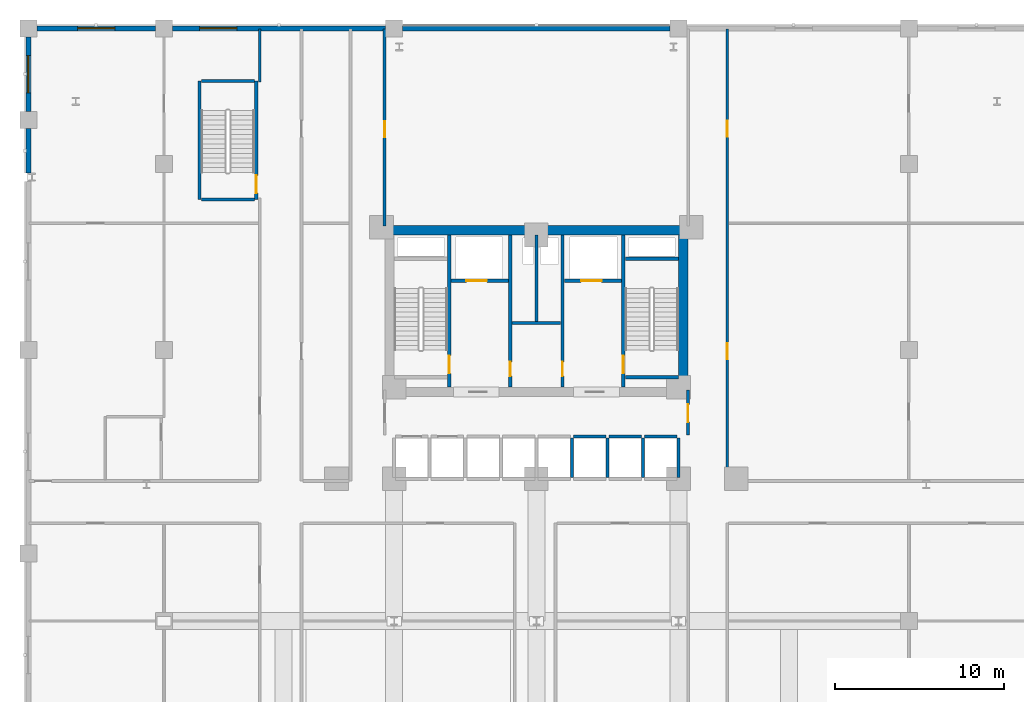
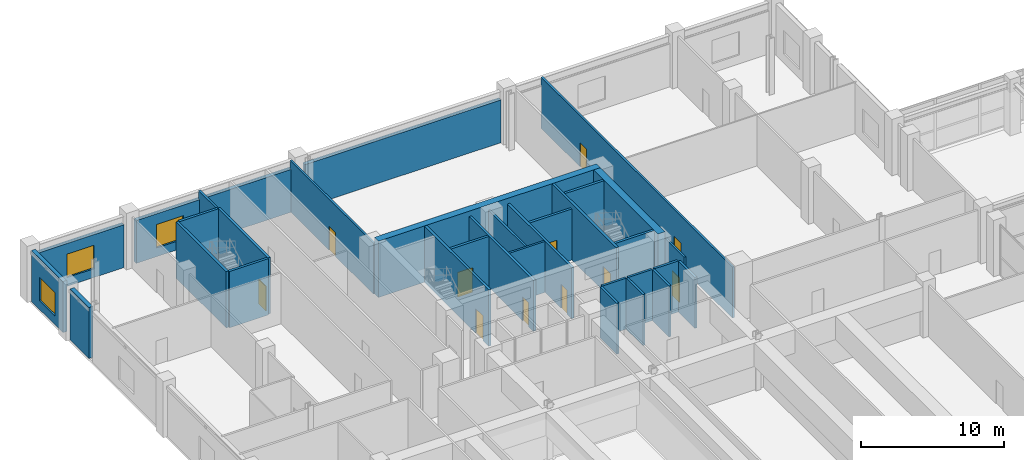
# One storey, part 32 of 44: 32 walls, 11 doors, 3 windows, 14 openings.
"""IFC4 building model written with IfcOpenShell, lengths in metres."""

from ifc_helpers import new_model, si_unit, derived_unit, direction, frame, frame_2d, origin, place, context, subcontext, project, spatial, rectangle, extrude, material, layer, layer_set, type_object, element, fill, save


model = new_model("IFC4")

# Units and contexts
model_context = context("Model", 3, precision=1e-05, world=origin(), true_north=direction((0.0, 1.0)))
body_context = subcontext(model_context, "Body", "Model", "MODEL_VIEW")
ifc_project = project(units=[si_unit("LENGTHUNIT", "METRE"), si_unit("AREAUNIT", "SQUARE_METRE"), si_unit("VOLUMEUNIT", "CUBIC_METRE"), si_unit("PLANEANGLEUNIT", "RADIAN"), si_unit("MASSUNIT", "GRAM", prefix="KILO"), derived_unit("THERMALTRANSMITTANCEUNIT", [(si_unit("POWERUNIT", "WATT"), 1), (si_unit("LENGTHUNIT", "METRE"), -2), (si_unit("THERMODYNAMICTEMPERATUREUNIT", "KELVIN"), -1)])], contexts=[model_context])

# Site, building, storey
site_placement = place(None, origin())
site = spatial("IfcSite", under=ifc_project, at=site_placement, CompositionType="ELEMENT")
building_placement = place(site_placement, origin())
building = spatial("IfcBuilding", under=site, at=building_placement, Name="Korsvarv Bourse and Concert Hall", CompositionType="ELEMENT")
storey_placement = place(building_placement, frame((0.0, 0.0, 9.60009765625)))
storey = spatial("IfcBuildingStorey", under=building, at=storey_placement, Name="L02", CompositionType="ELEMENT", Elevation=9.60009765625)

# Wall, opening, door
ifc_material_1 = material(Name="Concrete C50/60", Category="concrete")
ifc_layer_1 = layer(ifc_material_1, 0.3798828125)
ifc_layer_set_1 = layer_set([ifc_layer_1], Name="Concrete C50/60")
wall_type_1 = type_object("IfcWallType", Name="WL-CORE-380", PredefinedType="SHEAR", material=ifc_layer_set_1)
wall_1_placement = place(storey_placement, frame((30.860107421875, 37.81005859375, 0.0), z_axis=(0.0, 0.0, 1.0), x_axis=(0.0, 1.0, 0.0)))
wall_1 = element("IfcWall", 1, at=wall_1_placement, inside=storey, type_object=wall_type_1, Name="L02 stair shaft structural wall W-L02-ST1-E", PredefinedType="SHEAR", context=body_context, shape_type="SweptSolid", body=[
    extrude(rectangle(XDim=8.97998046875, YDim=0.199951171875, at=frame_2d((4.489990234375, 0.0))), origin(), (0.0, 0.0, 1.0), 4.7998046875),
])
opening_1_placement = place(wall_1_placement, frame((0.820068359375, 0.0, 0.0)))
opening_1 = element("IfcOpeningElement", 2, at=opening_1_placement, cuts=wall_1, Name="Opening D-01", PredefinedType="OPENING", context=body_context, shape_type="SweptSolid", body=[
    extrude(rectangle(XDim=1.050048828125, YDim=2.10009765625, at=frame_2d((0.52490234375, 1.050048828125))), frame((0.0, 0.10986328125, 0.0), z_axis=(0.0, -1.0, 0.0), x_axis=(1.0, 0.0, 0.0)), (0.0, 0.0, 1.0), 0.219970703125),
])
ifc_material_2 = material(Name="Steel S355 fire door", Category="steel")
door_type_1 = type_object("IfcDoorType", Name="DR-FD60", OperationType="NOTDEFINED", PredefinedType="DOOR", material=ifc_material_2)
door_1_placement = place(opening_1_placement, origin())
door_1 = element("IfcDoor", 3, at=door_1_placement, inside=storey, type_object=door_type_1, Name="L02 interior door DR-L02-ST1", OperationType="SINGLE_SWING_LEFT", OverallHeight=2.10009765625, OverallWidth=1.050048828125, PredefinedType="DOOR", context=body_context, shape_type="SweptSolid", body=[
    extrude(rectangle(XDim=1.050048828125, YDim=2.10009765625, at=frame_2d((0.52490234375, 1.050048828125))), frame((0.0, 0.02490234375, 0.0), z_axis=(0.0, -1.0, 0.0), x_axis=(1.0, 0.0, 0.0)), (0.0, 0.0, 1.0), 0.050048828125),
])
fill(opening_1, door_1)

wall_2_placement = place(storey_placement, frame((41.139892578125, 37.81005859375, 0.0), z_axis=(0.0, 0.0, 1.0), x_axis=(0.0, 1.0, 0.0)))
wall_2 = element("IfcWall", 4, at=wall_2_placement, inside=storey, type_object=wall_type_1, Name="L02 stair shaft structural wall W-L02-ST2-W", PredefinedType="SHEAR", context=body_context, shape_type="SweptSolid", body=[
    extrude(rectangle(XDim=8.97998046875, YDim=0.199951171875, at=frame_2d((4.489990234375, 0.0))), origin(), (0.0, 0.0, 1.0), 4.7998046875),
])
opening_2_placement = place(wall_2_placement, frame((0.820068359375, 0.0, 0.0)))
opening_2 = element("IfcOpeningElement", 5, at=opening_2_placement, cuts=wall_2, Name="Opening D-01", PredefinedType="OPENING", context=body_context, shape_type="SweptSolid", body=[
    extrude(rectangle(XDim=1.050048828125, YDim=2.10009765625, at=frame_2d((0.52490234375, 1.050048828125))), frame((0.0, 0.10986328125, 0.0), z_axis=(0.0, -1.0, 0.0), x_axis=(1.0, 0.0, 0.0)), (0.0, 0.0, 1.0), 0.219970703125),
])
door_2_placement = place(opening_2_placement, frame((1.050048828125, 0.0, 0.0), z_axis=(0.0, 0.0, 1.0), x_axis=(-1.0, 0.0, 0.0)))
door_2 = element("IfcDoor", 6, at=door_2_placement, inside=storey, type_object=door_type_1, Name="L02 interior door DR-L02-ST2", OperationType="SINGLE_SWING_RIGHT", OverallHeight=2.10009765625, OverallWidth=1.050048828125, PredefinedType="DOOR", context=body_context, shape_type="SweptSolid", body=[
    extrude(rectangle(XDim=1.050048828125, YDim=2.10009765625, at=frame_2d((0.52490234375, 1.050048828125))), frame((0.0, 0.02490234375, 0.0), z_axis=(0.0, -1.0, 0.0), x_axis=(1.0, 0.0, 0.0)), (0.0, 0.0, 1.0), 0.050048828125),
])
fill(opening_2, door_2)

# Walls
for number, where, z_axis, x_axis, name in (
    (7, (41.25, 45.39990234375, 0.0), (0.0, 0.0, 1.0), (1.0, 0.0, 0.0), "L02 stair shaft structural wall W-L02-ST2-N"),
    (8, (41.25, 38.39990234375, 0.0), (0.0, 0.0, 1.0), (1.0, 0.0, 0.0), "L02 stair shaft structural wall W-L02-ST2-S"),
):
    element("IfcWall", number, at=place(storey_placement, frame(where, z_axis=z_axis, x_axis=x_axis)), inside=storey, type_object=wall_type_1, Name=name, PredefinedType="SHEAR", context=body_context, shape_type="SweptSolid", body=[
        extrude(rectangle(XDim=3.139892578125, YDim=0.199951171875, at=frame_2d((1.56982421875, 0.0))), origin(), (0.0, 0.0, 1.0), 4.7998046875),
    ])

# Wall, opening, door
wall_3_placement = place(storey_placement, frame((19.4599609375, 48.89990234375, 0.0), z_axis=(0.0, 0.0, 1.0), x_axis=(0.0, 1.0, 0.0)))
wall_3 = element("IfcWall", 9, at=wall_3_placement, inside=storey, type_object=wall_type_1, Name="L02 stair shaft structural wall W-L02-STPD-E", PredefinedType="SHEAR", context=body_context, shape_type="SweptSolid", body=[
    extrude(rectangle(XDim=7.0, YDim=0.199951171875, at=frame_2d((3.5, 0.0))), origin(), (0.0, 0.0, 1.0), 4.7998046875),
])
opening_3_placement = place(wall_3_placement, frame((0.3798828125, 0.0, 0.0)))
opening_3 = element("IfcOpeningElement", 10, at=opening_3_placement, cuts=wall_3, Name="Opening D-01", PredefinedType="OPENING", context=body_context, shape_type="SweptSolid", body=[
    extrude(rectangle(XDim=1.050048828125, YDim=2.10009765625, at=frame_2d((0.52490234375, 1.050048828125))), frame((0.0, 0.10986328125, 0.0), z_axis=(0.0, -1.0, 0.0), x_axis=(1.0, 0.0, 0.0)), (0.0, 0.0, 1.0), 0.219970703125),
])
door_3_placement = place(opening_3_placement, origin())
door_3 = element("IfcDoor", 11, at=door_3_placement, inside=storey, type_object=door_type_1, Name="L02 interior door DR-L02-STPD1", OperationType="SINGLE_SWING_RIGHT", OverallHeight=2.10009765625, OverallWidth=1.050048828125, PredefinedType="DOOR", context=body_context, shape_type="SweptSolid", body=[
    extrude(rectangle(XDim=1.050048828125, YDim=2.10009765625, at=frame_2d((0.52490234375, 1.050048828125))), frame((0.0, 0.02490234375, 0.0), z_axis=(0.0, -1.0, 0.0), x_axis=(1.0, 0.0, 0.0)), (0.0, 0.0, 1.0), 0.050048828125),
])
fill(opening_3, door_3)

# Walls
wall_4_placement = place(storey_placement, frame((16.10009765625, 48.89990234375, 0.0), z_axis=(0.0, 0.0, 1.0), x_axis=(0.0, 1.0, 0.0)))
element("IfcWall", 12, at=wall_4_placement, inside=storey, type_object=wall_type_1, Name="L02 stair shaft structural wall W-L02-STPD-W", PredefinedType="SHEAR", context=body_context, shape_type="SweptSolid", body=[
    extrude(rectangle(XDim=7.0, YDim=0.199951171875, at=frame_2d((3.5, 0.0))), origin(), (0.0, 0.0, 1.0), 4.7998046875),
])
for number, where, z_axis, x_axis, name in (
    (13, (16.2099609375, 55.89990234375, 0.0), (0.0, 0.0, 1.0), (1.0, 0.0, 0.0), "L02 stair shaft structural wall W-L02-STPD-N"),
    (14, (16.2099609375, 48.89990234375, 0.0), (0.0, 0.0, 1.0), (1.0, 0.0, 0.0), "L02 stair shaft structural wall W-L02-STPD-S"),
):
    element("IfcWall", number, at=place(storey_placement, frame(where, z_axis=z_axis, x_axis=x_axis)), inside=storey, type_object=wall_type_1, Name=name, PredefinedType="SHEAR", context=body_context, shape_type="SweptSolid", body=[
        extrude(rectangle(XDim=3.14013671875, YDim=0.199951171875, at=frame_2d((1.570068359375, 0.0))), origin(), (0.0, 0.0, 1.0), 4.7998046875),
    ])
ifc_material_3 = material(Name="Concrete C60/75", Category="concrete")
ifc_layer_2 = layer(ifc_material_3, 0.550048828125)
ifc_layer_set_2 = layer_set([ifc_layer_2], Name="Concrete C60/75")
wall_type_2 = type_object("IfcWallType", Name="WL-CORE-550", PredefinedType="SHEAR", material=ifc_layer_set_2)
wall_5_placement = place(storey_placement, frame((27.050048828125, 47.074951171875, 0.0), z_axis=(0.0, 0.0, 1.0), x_axis=(1.0, 0.0, 0.0)))
element("IfcWall", 15, at=wall_5_placement, inside=storey, type_object=wall_type_2, Name="L02 North Core Shear Wall", PredefinedType="SHEAR", context=body_context, shape_type="SweptSolid", body=[
    extrude(rectangle(XDim=17.89990234375, YDim=0.550048828125, at=frame_2d((8.949951171875, 0.0))), origin(), (0.0, 0.0, 1.0), 4.7998046875),
])
wall_6_placement = place(storey_placement, frame((44.675048828125, 37.800048828125, 0.0), z_axis=(0.0, 0.0, 1.0), x_axis=(0.0, 1.0, 0.0)))
element("IfcWall", 16, at=wall_6_placement, inside=storey, type_object=wall_type_2, Name="L02 East Core Shear Wall", PredefinedType="SHEAR", context=body_context, shape_type="SweptSolid", body=[
    extrude(rectangle(XDim=9.0, YDim=0.550048828125, at=frame_2d((4.5, 0.0))), origin(), (0.0, 0.0, 1.0), 4.7998046875),
])

# Wall, opening, window
ifc_material_4 = material(Name="Precast concrete C45/55 with granite and terracotta", Category="concrete")
ifc_layer_3 = layer(ifc_material_4, 0.320068359375)
ifc_layer_set_3 = layer_set([ifc_layer_3], Name="Precast concrete C45/55 with granite and terracotta")
wall_type_3 = type_object("IfcWallType", Name="WL-EXT-POD", PredefinedType="SOLIDWALL", material=ifc_layer_set_3)
wall_7_placement = place(storey_placement, frame((6.5048828125, 59.0, 0.0), z_axis=(0.0, 0.0, 1.0), x_axis=(1.0, 0.0, 0.0)))
wall_7 = element("IfcWall", 17, at=wall_7_placement, inside=storey, type_object=wall_type_3, Name="L02 terracotta exterior wall EW-L02-N1", PredefinedType="SOLIDWALL", context=body_context, shape_type="SweptSolid", body=[
    extrude(rectangle(XDim=6.990234375, YDim=0.320068359375, at=frame_2d((3.4951171875, 0.0))), origin(), (0.0, 0.0, 1.0), 3.64990234375),
])
opening_4_placement = place(wall_7_placement, frame((2.39501953125, 0.0, 0.75)))
opening_4 = element("IfcOpeningElement", 18, at=opening_4_placement, cuts=wall_7, Name="Opening W-03", PredefinedType="OPENING", context=body_context, shape_type="SweptSolid", body=[
    extrude(rectangle(XDim=2.199951171875, YDim=2.0, at=frame_2d((1.10009765625, 1.0))), frame((0.0, 0.169921875, 0.0), z_axis=(0.0, -1.0, 0.0), x_axis=(1.0, 0.0, 0.0)), (0.0, 0.0, 1.0), 0.340087890625),
])
ifc_material_5 = material(Name="Thermally broken aluminium frame with triple low-E glass", Category="glass")
window_type = type_object("IfcWindowType", Name="WIN-POD1", PartitioningType="SINGLE_PANEL", PredefinedType="WINDOW", material=ifc_material_5)
window_1_placement = place(opening_4_placement, origin())
window_1 = element("IfcWindow", 19, at=window_1_placement, inside=storey, type_object=window_type, Name="L02 punched facade window W-03", OverallHeight=2.0, OverallWidth=2.199951171875, PartitioningType="SINGLE_PANEL", PredefinedType="WINDOW", context=body_context, shape_type="SweptSolid", body=[
    extrude(rectangle(XDim=2.199951171875, YDim=2.0, at=frame_2d((1.10009765625, 1.0))), frame((0.0, 0.030029296875, 0.0), z_axis=(0.0, -1.0, 0.0), x_axis=(1.0, 0.0, 0.0)), (0.0, 0.0, 1.0), 0.06005859375),
])
fill(opening_4, window_1)

wall_8_placement = place(storey_placement, frame((14.5048828125, 59.0, 0.0), z_axis=(0.0, 0.0, 1.0), x_axis=(1.0, 0.0, 0.0)))
wall_8 = element("IfcWall", 20, at=wall_8_placement, inside=storey, type_object=wall_type_3, Name="L02 terracotta exterior wall EW-L02-N2", PredefinedType="SOLIDWALL", context=body_context, shape_type="SweptSolid", body=[
    extrude(rectangle(XDim=12.590087890625, YDim=0.320068359375, at=frame_2d((6.294921875, 0.0))), origin(), (0.0, 0.0, 1.0), 3.64990234375),
])
opening_5_placement = place(wall_8_placement, frame((1.5986328125, 0.0, 0.75)))
opening_5 = element("IfcOpeningElement", 21, at=opening_5_placement, cuts=wall_8, Name="Opening W-03", PredefinedType="OPENING", context=body_context, shape_type="SweptSolid", body=[
    extrude(rectangle(XDim=2.199951171875, YDim=2.0, at=frame_2d((1.10009765625, 1.0))), frame((0.0, 0.169921875, 0.0), z_axis=(0.0, -1.0, 0.0), x_axis=(1.0, 0.0, 0.0)), (0.0, 0.0, 1.0), 0.340087890625),
])
window_2_placement = place(opening_5_placement, origin())
window_2 = element("IfcWindow", 22, at=window_2_placement, inside=storey, type_object=window_type, Name="L02 punched facade window W-03", OverallHeight=2.0, OverallWidth=2.199951171875, PartitioningType="SINGLE_PANEL", PredefinedType="WINDOW", context=body_context, shape_type="SweptSolid", body=[
    extrude(rectangle(XDim=2.199951171875, YDim=2.0, at=frame_2d((1.10009765625, 1.0))), frame((0.0, 0.030029296875, 0.0), z_axis=(0.0, -1.0, 0.0), x_axis=(1.0, 0.0, 0.0)), (0.0, 0.0, 1.0), 0.06005859375),
])
fill(opening_5, window_2)

# Walls
wall_9_placement = place(storey_placement, frame((28.10498046875, 59.0, 0.0), z_axis=(0.0, 0.0, 1.0), x_axis=(1.0, 0.0, 0.0)))
element("IfcWall", 23, at=wall_9_placement, inside=storey, type_object=wall_type_3, Name="L02 terracotta exterior wall EW-L02-N3", PredefinedType="SOLIDWALL", context=body_context, shape_type="SweptSolid", body=[
    extrude(rectangle(XDim=15.7900390625, YDim=0.320068359375, at=frame_2d((7.89501953125, 0.0))), origin(), (0.0, 0.0, 1.0), 3.64990234375),
])
wall_10_placement = place(storey_placement, frame((6.0, 50.459228515625, 0.0), z_axis=(0.0, 0.0, 1.0), x_axis=(0.0, 1.0, 0.0)))
element("IfcWall", 24, at=wall_10_placement, inside=storey, type_object=wall_type_3, Name="L02 terracotta exterior wall EW-L02-W4-2", PredefinedType="SOLIDWALL", context=body_context, shape_type="SweptSolid", body=[
    extrude(rectangle(XDim=2.6357421875, YDim=0.320068359375, at=frame_2d((1.31787109375, 0.0))), origin(), (0.0, 0.0, 1.0), 4.349853515625),
])

# Wall, opening, window
wall_11_placement = place(storey_placement, frame((6.0, 54.10498046875, 0.0), z_axis=(0.0, 0.0, 1.0), x_axis=(0.0, 1.0, 0.0)))
wall_11 = element("IfcWall", 25, at=wall_11_placement, inside=storey, type_object=wall_type_3, Name="L02 terracotta exterior wall EW-L02-W5", PredefinedType="SOLIDWALL", context=body_context, shape_type="SweptSolid", body=[
    extrude(rectangle(XDim=4.39013671875, YDim=0.320068359375, at=frame_2d((2.195068359375, 0.0))), origin(), (0.0, 0.0, 1.0), 4.349853515625),
])
opening_6_placement = place(wall_11_placement, frame((1.094970703125, 0.0, 0.75)))
opening_6 = element("IfcOpeningElement", 26, at=opening_6_placement, cuts=wall_11, Name="Opening W-03", PredefinedType="OPENING", context=body_context, shape_type="SweptSolid", body=[
    extrude(rectangle(XDim=2.199951171875, YDim=2.0, at=frame_2d((1.10009765625, 1.0))), frame((0.0, 0.169921875, 0.0), z_axis=(0.0, -1.0, 0.0), x_axis=(1.0, 0.0, 0.0)), (0.0, 0.0, 1.0), 0.340087890625),
])
window_3_placement = place(opening_6_placement, origin())
window_3 = element("IfcWindow", 27, at=window_3_placement, inside=storey, type_object=window_type, Name="L02 punched facade window W-03", OverallHeight=2.0, OverallWidth=2.199951171875, PartitioningType="SINGLE_PANEL", PredefinedType="WINDOW", context=body_context, shape_type="SweptSolid", body=[
    extrude(rectangle(XDim=2.199951171875, YDim=2.0, at=frame_2d((1.10009765625, 1.0))), frame((0.0, 0.030029296875, 0.0), z_axis=(0.0, -1.0, 0.0), x_axis=(1.0, 0.0, 0.0)), (0.0, 0.0, 1.0), 0.06005859375),
])
fill(opening_6, window_3)

# Wall, opening, door
ifc_material_6 = material(Name="Reinforced concrete blockwork C35/45 fire wall", Category="concrete")
ifc_layer_4 = layer(ifc_material_6, 0.199951171875)
ifc_layer_set_4 = layer_set([ifc_layer_4], Name="Reinforced concrete blockwork C35/45 fire wall")
wall_type_4 = type_object("IfcWallType", Name="WL-INT-EI120", PredefinedType="PARTITIONING", material=ifc_layer_set_4)
wall_12_placement = place(storey_placement, frame((30.969970703125, 44.10009765625, 0.0), z_axis=(0.0, 0.0, 1.0), x_axis=(1.0, 0.0, 0.0)))
wall_12 = element("IfcWall", 28, at=wall_12_placement, inside=storey, type_object=wall_type_4, Name="L02 interior partition wall W-L02-FF1-S", PredefinedType="PARTITIONING", context=body_context, shape_type="SweptSolid", body=[
    extrude(rectangle(XDim=3.380126953125, YDim=0.199951171875, at=frame_2d((1.68994140625, 0.0))), origin(), (0.0, 0.0, 1.0), 4.349853515625),
])
opening_7_placement = place(wall_12_placement, frame((0.89990234375, 0.0, 0.0)))
opening_7 = element("IfcOpeningElement", 29, at=opening_7_placement, cuts=wall_12, Name="Opening LD-1", PredefinedType="OPENING", context=body_context, shape_type="SweptSolid", body=[
    extrude(rectangle(XDim=1.199951171875, YDim=2.10009765625, at=frame_2d((0.60009765625, 1.050048828125))), frame((0.0, 0.10986328125, 0.0), z_axis=(0.0, -1.0, 0.0), x_axis=(1.0, 0.0, 0.0)), (0.0, 0.0, 1.0), 0.219970703125),
])
ifc_material_7 = material(Name="Stainless Steel S355 firefighting lift landing door", Category="steel")
door_type_2 = type_object("IfcDoorType", Name="DR-LIFT-FF", OperationType="DOUBLE_DOOR_SLIDING", PredefinedType="DOOR", material=ifc_material_7)
door_4_placement = place(opening_7_placement, origin())
door_4 = element("IfcDoor", 30, at=door_4_placement, inside=storey, type_object=door_type_2, Name="L02 lift sliding landing door LD-L02-FF1", OperationType="DOUBLE_DOOR_SLIDING", OverallHeight=2.10009765625, OverallWidth=1.199951171875, PredefinedType="DOOR", context=body_context, shape_type="SweptSolid", body=[
    extrude(rectangle(XDim=1.199951171875, YDim=2.10009765625, at=frame_2d((0.60009765625, 1.050048828125))), frame((0.0, 0.02490234375, 0.0), z_axis=(0.0, -1.0, 0.0), x_axis=(1.0, 0.0, 0.0)), (0.0, 0.0, 1.0), 0.050048828125),
])
fill(opening_7, door_4)

wall_13_placement = place(storey_placement, frame((37.64990234375, 44.10009765625, 0.0), z_axis=(0.0, 0.0, 1.0), x_axis=(1.0, 0.0, 0.0)))
wall_13 = element("IfcWall", 31, at=wall_13_placement, inside=storey, type_object=wall_type_4, Name="L02 interior partition wall W-L02-FF2-S", PredefinedType="PARTITIONING", context=body_context, shape_type="SweptSolid", body=[
    extrude(rectangle(XDim=3.380126953125, YDim=0.199951171875, at=frame_2d((1.68994140625, 0.0))), origin(), (0.0, 0.0, 1.0), 4.349853515625),
])
opening_8_placement = place(wall_13_placement, frame((1.0, 0.0, 0.0)))
opening_8 = element("IfcOpeningElement", 32, at=opening_8_placement, cuts=wall_13, Name="Opening LD-1", PredefinedType="OPENING", context=body_context, shape_type="SweptSolid", body=[
    extrude(rectangle(XDim=1.199951171875, YDim=2.10009765625, at=frame_2d((0.60009765625, 1.050048828125))), frame((0.0, 0.10986328125, 0.0), z_axis=(0.0, -1.0, 0.0), x_axis=(1.0, 0.0, 0.0)), (0.0, 0.0, 1.0), 0.219970703125),
])
door_5_placement = place(opening_8_placement, origin())
door_5 = element("IfcDoor", 33, at=door_5_placement, inside=storey, type_object=door_type_2, Name="L02 lift sliding landing door LD-L02-FF2", OperationType="DOUBLE_DOOR_SLIDING", OverallHeight=2.10009765625, OverallWidth=1.199951171875, PredefinedType="DOOR", context=body_context, shape_type="SweptSolid", body=[
    extrude(rectangle(XDim=1.199951171875, YDim=2.10009765625, at=frame_2d((0.60009765625, 1.050048828125))), frame((0.0, 0.02490234375, 0.0), z_axis=(0.0, -1.0, 0.0), x_axis=(1.0, 0.0, 0.0)), (0.0, 0.0, 1.0), 0.050048828125),
])
fill(opening_8, door_5)

wall_14_placement = place(storey_placement, frame((34.4599609375, 37.81005859375, 0.0), z_axis=(0.0, 0.0, 1.0), x_axis=(0.0, 1.0, 0.0)))
wall_14 = element("IfcWall", 34, at=wall_14_placement, inside=storey, type_object=wall_type_4, Name="L02 interior partition wall W-L02-CSB-W", PredefinedType="PARTITIONING", context=body_context, shape_type="SweptSolid", body=[
    extrude(rectangle(XDim=8.97998046875, YDim=0.199951171875, at=frame_2d((4.489990234375, 0.0))), origin(), (0.0, 0.0, 1.0), 4.349853515625),
])
opening_9_placement = place(wall_14_placement, frame((0.64990234375, 0.0, 0.0)))
opening_9 = element("IfcOpeningElement", 35, at=opening_9_placement, cuts=wall_14, Name="Opening D-05", PredefinedType="OPENING", context=body_context, shape_type="SweptSolid", body=[
    extrude(rectangle(XDim=0.85009765625, YDim=2.050048828125, at=frame_2d((0.425048828125, 1.02490234375))), frame((0.0, 0.10986328125, 0.0), z_axis=(0.0, -1.0, 0.0), x_axis=(1.0, 0.0, 0.0)), (0.0, 0.0, 1.0), 0.219970703125),
])
door_type_3 = type_object("IfcDoorType", Name="DR-FD60-850X2050", OperationType="NOTDEFINED", PredefinedType="DOOR", material=ifc_material_2)
door_6_placement = place(opening_9_placement, frame((0.85009765625, 0.0, 0.0), z_axis=(0.0, 0.0, 1.0), x_axis=(-1.0, 0.0, 0.0)))
door_6 = element("IfcDoor", 36, at=door_6_placement, inside=storey, type_object=door_type_3, Name="L02 interior door DR-L02-CSB1", OperationType="SINGLE_SWING_LEFT", OverallHeight=2.050048828125, OverallWidth=0.85009765625, PredefinedType="DOOR", context=body_context, shape_type="SweptSolid", body=[
    extrude(rectangle(XDim=0.85009765625, YDim=2.050048828125, at=frame_2d((0.425048828125, 1.02490234375))), frame((0.0, 0.02490234375, 0.0), z_axis=(0.0, -1.0, 0.0), x_axis=(1.0, 0.0, 0.0)), (0.0, 0.0, 1.0), 0.050048828125),
])
fill(opening_9, door_6)

wall_15_placement = place(storey_placement, frame((37.5400390625, 37.81005859375, 0.0), z_axis=(0.0, 0.0, 1.0), x_axis=(0.0, 1.0, 0.0)))
wall_15 = element("IfcWall", 37, at=wall_15_placement, inside=storey, type_object=wall_type_4, Name="L02 interior partition wall W-L02-CSB-E", PredefinedType="PARTITIONING", context=body_context, shape_type="SweptSolid", body=[
    extrude(rectangle(XDim=8.97998046875, YDim=0.199951171875, at=frame_2d((4.489990234375, 0.0))), origin(), (0.0, 0.0, 1.0), 4.349853515625),
])
opening_10_placement = place(wall_15_placement, frame((0.64990234375, 0.0, 0.0)))
opening_10 = element("IfcOpeningElement", 38, at=opening_10_placement, cuts=wall_15, Name="Opening D-05", PredefinedType="OPENING", context=body_context, shape_type="SweptSolid", body=[
    extrude(rectangle(XDim=0.85009765625, YDim=2.050048828125, at=frame_2d((0.425048828125, 1.02490234375))), frame((0.0, 0.10986328125, 0.0), z_axis=(0.0, -1.0, 0.0), x_axis=(1.0, 0.0, 0.0)), (0.0, 0.0, 1.0), 0.219970703125),
])
door_7_placement = place(opening_10_placement, origin())
door_7 = element("IfcDoor", 39, at=door_7_placement, inside=storey, type_object=door_type_3, Name="L02 interior door DR-L02-CSB2", OperationType="SINGLE_SWING_RIGHT", OverallHeight=2.050048828125, OverallWidth=0.85009765625, PredefinedType="DOOR", context=body_context, shape_type="SweptSolid", body=[
    extrude(rectangle(XDim=0.85009765625, YDim=2.050048828125, at=frame_2d((0.425048828125, 1.02490234375))), frame((0.0, 0.02490234375, 0.0), z_axis=(0.0, -1.0, 0.0), x_axis=(1.0, 0.0, 0.0)), (0.0, 0.0, 1.0), 0.050048828125),
])
fill(opening_10, door_7)

# Walls
ifc_material_8 = material(Name="Double-stud fire-rated acoustic partition", Category="gypsum")
ifc_layer_5 = layer(ifc_material_8, 0.159912109375)
ifc_layer_set_5 = layer_set([ifc_layer_5], Name="Double-stud fire-rated acoustic partition")
wall_type_5 = type_object("IfcWallType", Name="WL-INT-EI60", PredefinedType="PARTITIONING", material=ifc_layer_set_5)
wall_16_placement = place(storey_placement, frame((34.570068359375, 41.60009765625, 0.0), z_axis=(0.0, 0.0, 1.0), x_axis=(1.0, 0.0, 0.0)))
element("IfcWall", 40, at=wall_16_placement, inside=storey, type_object=wall_type_5, Name="L02 interior partition wall W-L02-K1", PredefinedType="PARTITIONING", context=body_context, shape_type="SweptSolid", body=[
    extrude(rectangle(XDim=2.85986328125, YDim=0.159912109375, at=frame_2d((1.429931640625, 0.0))), origin(), (0.0, 0.0, 1.0), 4.349853515625),
])
wall_17_placement = place(storey_placement, frame((36.0048828125, 41.68994140625, 0.0), z_axis=(0.0, 0.0, 1.0), x_axis=(0.0, 1.0, 0.0)))
element("IfcWall", 41, at=wall_17_placement, inside=storey, type_object=wall_type_5, Name="L02 interior partition wall W-L02-K2", PredefinedType="PARTITIONING", context=body_context, shape_type="SweptSolid", body=[
    extrude(rectangle(XDim=5.10009765625, YDim=0.159912109375, at=frame_2d((2.550048828125, 0.0))), origin(), (0.0, 0.0, 1.0), 4.349853515625),
])

# Wall, opening, door
wall_18_placement = place(storey_placement, frame((44.9599609375, 35.0, 0.0), z_axis=(0.0, 0.0, 1.0), x_axis=(0.0, 1.0, 0.0)))
wall_18 = element("IfcWall", 42, at=wall_18_placement, inside=storey, type_object=wall_type_5, Name="L02 interior partition wall W-L02-LOB-E", PredefinedType="PARTITIONING", context=body_context, shape_type="SweptSolid", body=[
    extrude(rectangle(XDim=2.64990234375, YDim=0.159912109375, at=frame_2d((1.324951171875, 0.0))), origin(), (0.0, 0.0, 1.0), 4.349853515625),
])
opening_11_placement = place(wall_18_placement, frame((0.75, 0.0, 0.0)))
opening_11 = element("IfcOpeningElement", 43, at=opening_11_placement, cuts=wall_18, Name="Opening D-01", PredefinedType="OPENING", context=body_context, shape_type="SweptSolid", body=[
    extrude(rectangle(XDim=1.050048828125, YDim=2.10009765625, at=frame_2d((0.52490234375, 1.050048828125))), frame((0.0, 0.08984375, 0.0), z_axis=(0.0, -1.0, 0.0), x_axis=(1.0, 0.0, 0.0)), (0.0, 0.0, 1.0), 0.179931640625),
])
door_8_placement = place(opening_11_placement, origin())
door_8 = element("IfcDoor", 44, at=door_8_placement, inside=storey, type_object=door_type_1, Name="L02 interior door DR-L02-LOBE", OperationType="SINGLE_SWING_RIGHT", OverallHeight=2.10009765625, OverallWidth=1.050048828125, PredefinedType="DOOR", context=body_context, shape_type="SweptSolid", body=[
    extrude(rectangle(XDim=1.050048828125, YDim=2.10009765625, at=frame_2d((0.52490234375, 1.050048828125))), frame((0.0, 0.02490234375, 0.0), z_axis=(0.0, -1.0, 0.0), x_axis=(1.0, 0.0, 0.0)), (0.0, 0.0, 1.0), 0.050048828125),
])
fill(opening_11, door_8)

# Wall, openings, doors
wall_19_placement = place(storey_placement, frame((47.27490234375, 32.27001953125, 0.0), z_axis=(0.0, 0.0, 1.0), x_axis=(0.0, 1.0, 0.0)))
wall_19 = element("IfcWall", 45, at=wall_19_placement, inside=storey, type_object=wall_type_5, Name="L02 interior partition wall W-L02-PCOR-07", PredefinedType="PARTITIONING", context=body_context, shape_type="SweptSolid", body=[
    extrude(rectangle(XDim=26.7099609375, YDim=0.159912109375, at=frame_2d((13.35498046875, 0.0))), origin(), (0.0, 0.0, 1.0), 4.349853515625),
])
opening_12_placement = place(wall_19_placement, frame((7.195068359375, 0.0, 0.0)))
opening_12 = element("IfcOpeningElement", 46, at=opening_12_placement, cuts=wall_19, Name="Opening D-02", PredefinedType="OPENING", context=body_context, shape_type="SweptSolid", body=[
    extrude(rectangle(XDim=0.949951171875, YDim=2.050048828125, at=frame_2d((0.47509765625, 1.02490234375))), frame((0.0, 0.08984375, 0.0), z_axis=(0.0, -1.0, 0.0), x_axis=(1.0, 0.0, 0.0)), (0.0, 0.0, 1.0), 0.179931640625),
])
opening_13_placement = place(wall_19_placement, frame((20.33349609375, 0.0, 0.0)))
opening_13 = element("IfcOpeningElement", 47, at=opening_13_placement, cuts=wall_19, Name="Opening D-02", PredefinedType="OPENING", context=body_context, shape_type="SweptSolid", body=[
    extrude(rectangle(XDim=0.949951171875, YDim=2.050048828125, at=frame_2d((0.47509765625, 1.02490234375))), frame((0.0, 0.08984375, 0.0), z_axis=(0.0, -1.0, 0.0), x_axis=(1.0, 0.0, 0.0)), (0.0, 0.0, 1.0), 0.179931640625),
])
ifc_material_9 = material(Name="Timber and steel acoustic fire door", Category="wood")
door_type_4 = type_object("IfcDoorType", Name="DR-FD30", OperationType="NOTDEFINED", PredefinedType="DOOR", material=ifc_material_9)
door_9_placement = place(opening_12_placement, origin())
door_9 = element("IfcDoor", 48, at=door_9_placement, inside=storey, type_object=door_type_4, Name="L02 interior door DR-L02-PCOR-RM55", OperationType="SINGLE_SWING_RIGHT", OverallHeight=2.050048828125, OverallWidth=0.949951171875, PredefinedType="DOOR", context=body_context, shape_type="SweptSolid", body=[
    extrude(rectangle(XDim=0.949951171875, YDim=2.050048828125, at=frame_2d((0.47509765625, 1.02490234375))), frame((0.0, 0.02490234375, 0.0), z_axis=(0.0, -1.0, 0.0), x_axis=(1.0, 0.0, 0.0)), (0.0, 0.0, 1.0), 0.050048828125),
])
fill(opening_12, door_9)
door_10_placement = place(opening_13_placement, origin())
door_10 = element("IfcDoor", 49, at=door_10_placement, inside=storey, type_object=door_type_4, Name="L02 interior door DR-L02-PCOR-RM66", OperationType="SINGLE_SWING_LEFT", OverallHeight=2.050048828125, OverallWidth=0.949951171875, PredefinedType="DOOR", context=body_context, shape_type="SweptSolid", body=[
    extrude(rectangle(XDim=0.949951171875, YDim=2.050048828125, at=frame_2d((0.47509765625, 1.02490234375))), frame((0.0, 0.02490234375, 0.0), z_axis=(0.0, -1.0, 0.0), x_axis=(1.0, 0.0, 0.0)), (0.0, 0.0, 1.0), 0.050048828125),
])
fill(opening_13, door_10)

# Wall, opening, door
wall_20_placement = place(storey_placement, frame((27.034912109375, 47.340087890625, 0.0), z_axis=(0.0, 0.0, 1.0), x_axis=(0.0, 1.0, 0.0)))
wall_20 = element("IfcWall", 50, at=wall_20_placement, inside=storey, type_object=wall_type_5, Name="L02 interior partition wall W-L02-PCOR-16", PredefinedType="PARTITIONING", context=body_context, shape_type="SweptSolid", body=[
    extrude(rectangle(XDim=11.639892578125, YDim=0.159912109375, at=frame_2d((5.81982421875, 0.0))), origin(), (0.0, 0.0, 1.0), 4.349853515625),
])
opening_14_placement = place(wall_20_placement, frame((5.238037109375, 0.0, 0.0)))
opening_14 = element("IfcOpeningElement", 51, at=opening_14_placement, cuts=wall_20, Name="Opening D-02", PredefinedType="OPENING", context=body_context, shape_type="SweptSolid", body=[
    extrude(rectangle(XDim=0.949951171875, YDim=2.050048828125, at=frame_2d((0.47509765625, 1.02490234375))), frame((0.0, 0.08984375, 0.0), z_axis=(0.0, -1.0, 0.0), x_axis=(1.0, 0.0, 0.0)), (0.0, 0.0, 1.0), 0.179931640625),
])
door_11_placement = place(opening_14_placement, origin())
door_11 = element("IfcDoor", 52, at=door_11_placement, inside=storey, type_object=door_type_4, Name="L02 interior door DR-L02-PCOR-NWRK11", OperationType="SINGLE_SWING_RIGHT", OverallHeight=2.050048828125, OverallWidth=0.949951171875, PredefinedType="DOOR", context=body_context, shape_type="SweptSolid", body=[
    extrude(rectangle(XDim=0.949951171875, YDim=2.050048828125, at=frame_2d((0.47509765625, 1.02490234375))), frame((0.0, 0.02490234375, 0.0), z_axis=(0.0, -1.0, 0.0), x_axis=(1.0, 0.0, 0.0)), (0.0, 0.0, 1.0), 0.050048828125),
])
fill(opening_14, door_11)

# Walls
wall_21_placement = place(storey_placement, frame((19.6650390625, 55.840087890625, 0.0), z_axis=(0.0, 0.0, 1.0), x_axis=(0.0, 1.0, 0.0)))
element("IfcWall", 53, at=wall_21_placement, inside=storey, type_object=wall_type_5, Name="L02 interior partition wall W-L02-PCOR-20", PredefinedType="PARTITIONING", context=body_context, shape_type="SweptSolid", body=[
    extrude(rectangle(XDim=3.139892578125, YDim=0.159912109375, at=frame_2d((1.56982421875, 0.0))), origin(), (0.0, 0.0, 1.0), 4.349853515625),
])
ifc_material_10 = material(Name="Gypsum-clad autoclaved concrete shaft wall C30/37", Category="concrete")
ifc_layer_6 = layer(ifc_material_10, 0.179931640625)
ifc_layer_set_6 = layer_set([ifc_layer_6], Name="Gypsum-clad autoclaved concrete shaft wall C30/37")
wall_type_6 = type_object("IfcWallType", Name="WL-INT-EI90", PredefinedType="PARTITIONING", material=ifc_layer_set_6)
wall_22_placement = place(storey_placement, frame((38.18994140625, 34.89990234375, 0.0), z_axis=(0.0, 0.0, 1.0), x_axis=(1.0, 0.0, 0.0)))
element("IfcWall", 54, at=wall_22_placement, inside=storey, type_object=wall_type_6, Name="L02 interior partition wall W-L02-SHFN-PH2", PredefinedType="PARTITIONING", context=body_context, shape_type="SweptSolid", body=[
    extrude(rectangle(XDim=1.920166015625, YDim=0.179931640625, at=frame_2d((0.9599609375, 0.0))), origin(), (0.0, 0.0, 1.0), 4.349853515625),
])
wall_23_placement = place(storey_placement, frame((38.10009765625, 32.489990234375, 0.0), z_axis=(0.0, 0.0, 1.0), x_axis=(0.0, 1.0, 0.0)))
element("IfcWall", 55, at=wall_23_placement, inside=storey, type_object=wall_type_6, Name="L02 interior partition wall W-L02-SHFW-PH2", PredefinedType="PARTITIONING", context=body_context, shape_type="SweptSolid", body=[
    extrude(rectangle(XDim=2.320068359375, YDim=0.179931640625, at=frame_2d((1.16015625, 0.0))), origin(), (0.0, 0.0, 1.0), 4.349853515625),
])
wall_24_placement = place(storey_placement, frame((40.2900390625, 34.89990234375, 0.0), z_axis=(0.0, 0.0, 1.0), x_axis=(1.0, 0.0, 0.0)))
element("IfcWall", 56, at=wall_24_placement, inside=storey, type_object=wall_type_6, Name="L02 interior partition wall W-L02-SHFN-PO1", PredefinedType="PARTITIONING", context=body_context, shape_type="SweptSolid", body=[
    extrude(rectangle(XDim=1.919921875, YDim=0.179931640625, at=frame_2d((0.9599609375, 0.0))), origin(), (0.0, 0.0, 1.0), 4.349853515625),
])
wall_25_placement = place(storey_placement, frame((40.199951171875, 32.489990234375, 0.0), z_axis=(0.0, 0.0, 1.0), x_axis=(0.0, 1.0, 0.0)))
element("IfcWall", 57, at=wall_25_placement, inside=storey, type_object=wall_type_6, Name="L02 interior partition wall W-L02-SHFW-PO1", PredefinedType="PARTITIONING", context=body_context, shape_type="SweptSolid", body=[
    extrude(rectangle(XDim=2.320068359375, YDim=0.179931640625, at=frame_2d((1.16015625, 0.0))), origin(), (0.0, 0.0, 1.0), 4.349853515625),
])
wall_26_placement = place(storey_placement, frame((42.389892578125, 34.89990234375, 0.0), z_axis=(0.0, 0.0, 1.0), x_axis=(1.0, 0.0, 0.0)))
element("IfcWall", 58, at=wall_26_placement, inside=storey, type_object=wall_type_6, Name="L02 interior partition wall W-L02-SHFN-PO2", PredefinedType="PARTITIONING", context=body_context, shape_type="SweptSolid", body=[
    extrude(rectangle(XDim=1.920166015625, YDim=0.179931640625, at=frame_2d((0.9599609375, 0.0))), origin(), (0.0, 0.0, 1.0), 4.349853515625),
])
for number, where, z_axis, x_axis, name in (
    (59, (42.300048828125, 32.489990234375, 0.0), (0.0, 0.0, 1.0), (0.0, 1.0, 0.0), "L02 interior partition wall W-L02-SHFW-PO2"),
    (60, (44.39990234375, 32.489990234375, 0.0), (0.0, 0.0, 1.0), (0.0, 1.0, 0.0), "L02 interior partition wall W-L02-SHFE-END"),
):
    element("IfcWall", number, at=place(storey_placement, frame(where, z_axis=z_axis, x_axis=x_axis)), inside=storey, type_object=wall_type_6, Name=name, PredefinedType="PARTITIONING", context=body_context, shape_type="SweptSolid", body=[
        extrude(rectangle(XDim=2.320068359375, YDim=0.179931640625, at=frame_2d((1.16015625, 0.0))), origin(), (0.0, 0.0, 1.0), 4.349853515625),
    ])

save(model, "model.ifc")
